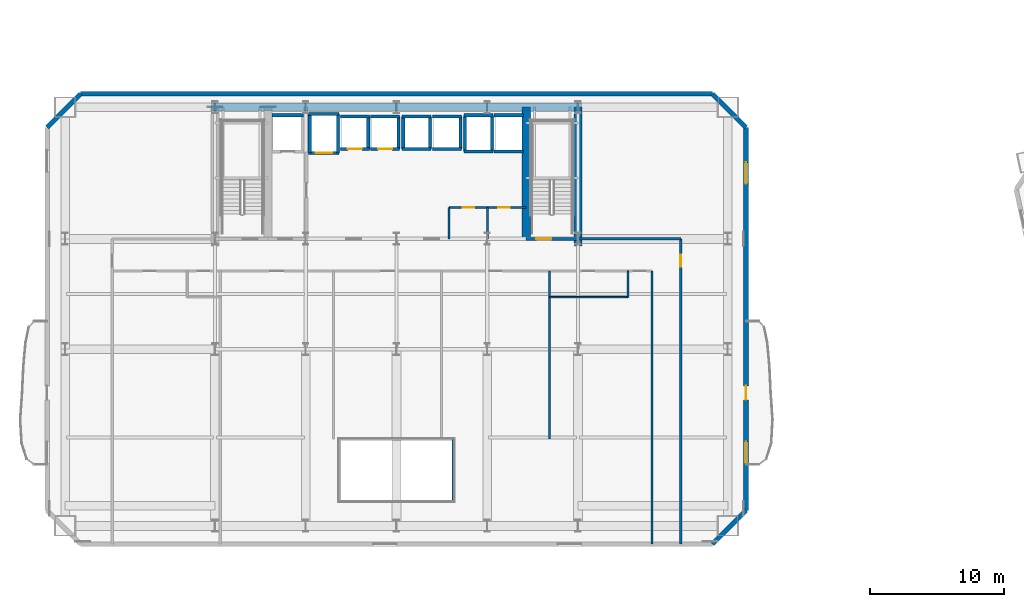
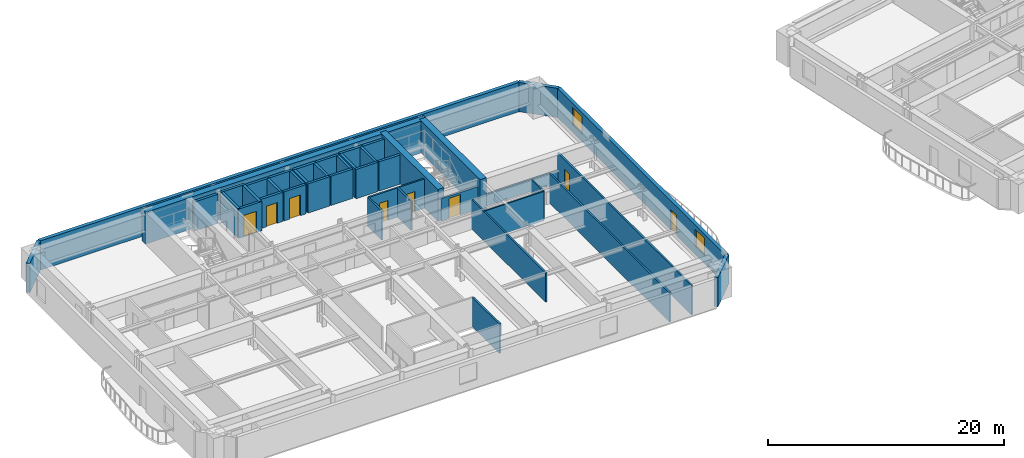
# One storey, part 8 of 18: 43 walls, 8 doors, 2 windows, 10 openings.
"""IFC4 building model written with IfcOpenShell, lengths in metres."""

from ifc_helpers import new_model, si_unit, direction, frame, frame_2d, origin, place, context, subcontext, project, spatial, rectangle, extrude, material, layer, layer_set, type_object, element, fill, save


model = new_model("IFC4")

# Units and contexts
model_context = context("Model", 3, precision=1e-05, world=origin(), true_north=direction((0.0, 1.0)))
body_context = subcontext(model_context, "Body", "Model", "MODEL_VIEW")
ifc_project = project(units=[si_unit("LENGTHUNIT", "METRE"), si_unit("AREAUNIT", "SQUARE_METRE"), si_unit("VOLUMEUNIT", "CUBIC_METRE"), si_unit("PLANEANGLEUNIT", "RADIAN"), si_unit("MASSUNIT", "GRAM", prefix="KILO")], contexts=[model_context])

# Site, building, storey
site_placement = place(None, origin())
site = spatial("IfcSite", under=ifc_project, at=site_placement, CompositionType="ELEMENT")
building_placement = place(site_placement, origin())
building = spatial("IfcBuilding", under=site, at=building_placement, Name="Haevon Station Towers", CompositionType="ELEMENT")
storey_placement = place(building_placement, frame((0.0, 0.0, 66.89990234375)))
storey = spatial("IfcBuildingStorey", under=building, at=storey_placement, Name="L17", CompositionType="ELEMENT", Elevation=66.89990234375)

# Walls
ifc_material_1 = material(Name="Gypsum board on steel stud", Category="steel")
ifc_layer_1 = layer(ifc_material_1, 0.179931640625)
ifc_layer_set_1 = layer_set([ifc_layer_1], Name="Gypsum board on steel stud")
wall_type_1 = type_object("IfcWallType", Name="WL-ACU180", PredefinedType="PARTITIONING", material=ifc_layer_set_1)
wall_1_placement = place(storey_placement, frame((51.0, 38.199951171875, 0.0), z_axis=(0.0, 0.0, 1.0), x_axis=(1.0, 0.0, 0.0)))
element("IfcWall", 1, at=wall_1_placement, inside=storey, type_object=wall_type_1, Name="WL-T1PT-L17-03", PredefinedType="PARTITIONING", context=body_context, shape_type="SweptSolid", body=[
    extrude(rectangle(XDim=7.64990234375, YDim=0.179931640625, at=frame_2d((3.824951171875, 0.0))), origin(), (0.0, 0.0, 1.0), 1.22998046875),
])
wall_2_placement = place(storey_placement, frame((41.699951171875, 18.699951171875, 0.0), z_axis=(0.0, 0.0, 1.0), x_axis=(0.0, 1.0, 0.0)))
element("IfcWall", 2, at=wall_2_placement, inside=storey, type_object=wall_type_1, Name="WL-T1PT-L17-09", PredefinedType="PARTITIONING", context=body_context, shape_type="SweptSolid", body=[
    extrude(rectangle(XDim=4.60009765625, YDim=0.179931640625, at=frame_2d((2.300048828125, 0.0))), origin(), (0.0, 0.0, 1.0), 3.030029296875),
])

# Wall, opening, door
ifc_layer_2 = layer(ifc_material_1, 0.199951171875)
ifc_layer_set_2 = layer_set([ifc_layer_2], Name="Gypsum board on steel stud")
wall_type_2 = type_object("IfcWallType", Name="WL-COR200", PredefinedType="PARTITIONING", material=ifc_layer_set_2)
wall_3_placement = place(storey_placement, frame((47.14990234375, 38.199951171875, 0.0), z_axis=(0.0, 0.0, 1.0), x_axis=(1.0, 0.0, 0.0)))
wall_3 = element("IfcWall", 3, at=wall_3_placement, inside=storey, type_object=wall_type_2, Name="WL-ST-ST2-L17", PredefinedType="PARTITIONING", context=body_context, shape_type="SweptSolid", body=[
    extrude(rectangle(XDim=3.85009765625, YDim=0.199951171875, at=frame_2d((1.925048828125, 0.0))), origin(), (0.0, 0.0, 1.0), 2.330078125),
])
opening_1_placement = place(wall_3_placement, frame((0.75, 0.0, 0.0)))
opening_1 = element("IfcOpeningElement", 4, at=opening_1_placement, cuts=wall_3, Name="Opening DR-ST-ST2-L17", PredefinedType="OPENING", context=body_context, shape_type="SweptSolid", body=[
    extrude(rectangle(XDim=1.1201171875, YDim=2.10009765625, at=frame_2d((0.56005859375, 1.050048828125))), frame((0.0, 0.10986328125, 0.0), z_axis=(0.0, -1.0, 0.0), x_axis=(1.0, 0.0, 0.0)), (0.0, 0.0, 1.0), 0.219970703125),
])
ifc_material_2 = material(Name="Engineered oak timber", Category="wood")
door_type_1 = type_object("IfcDoorType", Name="DR-ST-1120", OperationType="NOTDEFINED", PredefinedType="DOOR", material=ifc_material_2)
door_1_placement = place(opening_1_placement, origin())
door_1 = element("IfcDoor", 5, at=door_1_placement, inside=storey, type_object=door_type_1, Name="L17 Escape Stair ST2 Fire Door", OperationType="SINGLE_SWING_RIGHT", OverallHeight=2.10009765625, OverallWidth=1.1201171875, PredefinedType="DOOR", context=body_context, shape_type="SweptSolid", body=[
    extrude(rectangle(XDim=1.1201171875, YDim=2.10009765625, at=frame_2d((0.56005859375, 1.050048828125))), frame((0.0, 0.02490234375, 0.0), z_axis=(0.0, -1.0, 0.0), x_axis=(1.0, 0.0, 0.0)), (0.0, 0.0, 1.0), 0.050048828125),
])
fill(opening_1, door_1)

# Walls
ifc_material_3 = material(Name="Concrete C60/75", Category="concrete")
ifc_layer_3 = layer(ifc_material_3, 0.60009765625)
ifc_layer_set_3 = layer_set([ifc_layer_3], Name="Concrete C60/75")
wall_type_3 = type_object("IfcWallType", Name="WL-CR600", PredefinedType="SHEAR", material=ifc_layer_set_3)
wall_4_placement = place(storey_placement, frame((23.699951171875, 48.0, 0.0), z_axis=(0.0, 0.0, 1.0), x_axis=(1.0, 0.0, 0.0)))
element("IfcWall", 6, at=wall_4_placement, inside=storey, type_object=wall_type_3, Name="WL-T1CR-L17-N", PredefinedType="SHEAR", context=body_context, shape_type="SweptSolid", body=[
    extrude(rectangle(XDim=27.60009765625, YDim=0.60009765625, at=frame_2d((13.800048828125, 0.0))), origin(), (0.0, 0.0, 1.0), 3.300048828125),
])
wall_5_placement = place(storey_placement, frame((51.0, 37.679931640625, 0.0), z_axis=(0.0, 0.0, 1.0), x_axis=(0.0, 1.0, 0.0)))
element("IfcWall", 7, at=wall_5_placement, inside=storey, type_object=wall_type_3, Name="WL-T1CR-L17-E", PredefinedType="SHEAR", context=body_context, shape_type="SweptSolid", body=[
    extrude(rectangle(XDim=10.320068359375, YDim=0.60009765625, at=frame_2d((5.16015625, 0.0))), origin(), (0.0, 0.0, 1.0), 3.300048828125),
])
wall_6_placement = place(storey_placement, frame((47.14990234375, 38.199951171875, 0.0), z_axis=(0.0, 0.0, 1.0), x_axis=(0.0, 1.0, 0.0)))
element("IfcWall", 8, at=wall_6_placement, inside=storey, type_object=wall_type_3, Name="WL-T1CR-L17-M2", PredefinedType="SHEAR", context=body_context, shape_type="SweptSolid", body=[
    extrude(rectangle(XDim=9.800048828125, YDim=0.60009765625, at=frame_2d((4.89990234375, 0.0))), origin(), (0.0, 0.0, 1.0), 3.300048828125),
])
ifc_material_4 = material(Name="Precast concrete C45/55", Category="concrete")
ifc_layer_4 = layer(ifc_material_4, 0.340087890625)
ifc_layer_set_4 = layer_set([ifc_layer_4], Name="Precast concrete C45/55")
wall_type_4 = type_object("IfcWallType", Name="WL-EXT-PIER340", PredefinedType="SOLIDWALL", material=ifc_layer_set_4)
wall_7_placement = place(storey_placement, frame((11.5, 46.5, 0.0), z_axis=(0.0, 0.0, 1.0), x_axis=(0.707106781187, 0.707106781187, 0.0)))
element("IfcWall", 9, at=wall_7_placement, inside=storey, type_object=wall_type_4, Name="WL-T1-L17-NWC", PredefinedType="SOLIDWALL", context=body_context, shape_type="SweptSolid", body=[
    extrude(rectangle(XDim=3.53564453125, YDim=0.340087890625, at=frame_2d((1.767822265625, 0.0))), origin(), (0.0, 0.0, 1.0), 3.030029296875),
])
wall_8_placement = place(storey_placement, frame((14.0, 49.0, 0.0), z_axis=(0.0, 0.0, 1.0), x_axis=(1.0, 0.0, 0.0)))
element("IfcWall", 10, at=wall_8_placement, inside=storey, type_object=wall_type_4, Name="WL-T1-L17-N", PredefinedType="SOLIDWALL", context=body_context, shape_type="SweptSolid", body=[
    extrude(rectangle(XDim=47.0, YDim=0.340087890625, at=frame_2d((23.5, 0.0))), origin(), (0.0, 0.0, 1.0), 3.030029296875),
])
wall_9_placement = place(storey_placement, frame((61.0, 49.0, 0.0), z_axis=(0.0, 0.0, 1.0), x_axis=(0.707106781187, -0.707106781187, 0.0)))
element("IfcWall", 11, at=wall_9_placement, inside=storey, type_object=wall_type_4, Name="WL-T1-L17-NEC", PredefinedType="SOLIDWALL", context=body_context, shape_type="SweptSolid", body=[
    extrude(rectangle(XDim=3.53564453125, YDim=0.340087890625, at=frame_2d((1.767822265625, 0.0))), origin(), (0.0, 0.0, 1.0), 3.030029296875),
])

# Wall, openings, door, windows
wall_10_placement = place(storey_placement, frame((63.5, 46.5, 0.0), z_axis=(0.0, 0.0, 1.0), x_axis=(0.0, -1.0, 0.0)))
wall_10 = element("IfcWall", 12, at=wall_10_placement, inside=storey, type_object=wall_type_4, Name="WL-T1-L17-E", PredefinedType="SOLIDWALL", context=body_context, shape_type="SweptSolid", body=[
    extrude(rectangle(XDim=28.5, YDim=0.340087890625, at=frame_2d((14.25, 0.0))), origin(), (0.0, 0.0, 1.0), 3.030029296875),
])
opening_2_placement = place(wall_10_placement, frame((19.22509765625, 0.0, 0.0)))
opening_2 = element("IfcOpeningElement", 13, at=opening_2_placement, cuts=wall_10, Name="Opening DR-T1-SCAL-L17-E", PredefinedType="OPENING", context=body_context, shape_type="SweptSolid", body=[
    extrude(rectangle(XDim=1.050048828125, YDim=2.10009765625, at=frame_2d((0.52490234375, 1.050048828125))), frame((0.0, 0.179931640625, 0.0), z_axis=(0.0, -1.0, 0.0), x_axis=(1.0, 0.0, 0.0)), (0.0, 0.0, 1.0), 0.360107421875),
])
opening_3_placement = place(wall_10_placement, frame((2.607177734375, 0.0, 0.800048828125)))
opening_3 = element("IfcOpeningElement", 14, at=opening_3_placement, cuts=wall_10, Name="Opening WN-END160", PredefinedType="OPENING", context=body_context, shape_type="SweptSolid", body=[
    extrude(rectangle(XDim=1.60009765625, YDim=1.800048828125, at=frame_2d((0.800048828125, 0.89990234375))), frame((0.0, 0.179931640625, 0.0), z_axis=(0.0, -1.0, 0.0), x_axis=(1.0, 0.0, 0.0)), (0.0, 0.0, 1.0), 0.360107421875),
])
opening_4_placement = place(wall_10_placement, frame((23.389404296875, 0.0, 0.800048828125)))
opening_4 = element("IfcOpeningElement", 15, at=opening_4_placement, cuts=wall_10, Name="Opening WN-END160", PredefinedType="OPENING", context=body_context, shape_type="SweptSolid", body=[
    extrude(rectangle(XDim=1.60009765625, YDim=1.800048828125, at=frame_2d((0.800048828125, 0.89990234375))), frame((0.0, 0.179931640625, 0.0), z_axis=(0.0, -1.0, 0.0), x_axis=(1.0, 0.0, 0.0)), (0.0, 0.0, 1.0), 0.360107421875),
])
ifc_material_5 = material(Name="Thermally broken anodised aluminium and laminated safety glass", Category="aluminium")
door_type_2 = type_object("IfcDoorType", Name="DR-BALC-1050", OperationType="NOTDEFINED", PredefinedType="DOOR", material=ifc_material_5)
door_2_placement = place(opening_2_placement, origin())
door_2 = element("IfcDoor", 16, at=door_2_placement, inside=storey, type_object=door_type_2, Name="Tower 1 L17 East Scalloped Balcony Door", OperationType="SINGLE_SWING_RIGHT", OverallHeight=2.10009765625, OverallWidth=1.050048828125, PredefinedType="DOOR", context=body_context, shape_type="SweptSolid", body=[
    extrude(rectangle(XDim=1.050048828125, YDim=2.10009765625, at=frame_2d((0.52490234375, 1.050048828125))), frame((0.0, 0.02490234375, 0.0), z_axis=(0.0, -1.0, 0.0), x_axis=(1.0, 0.0, 0.0)), (0.0, 0.0, 1.0), 0.050048828125),
])
fill(opening_2, door_2)
ifc_material_6 = material(Name="Low-E triple glazing in thermally broken aluminium", Category="aluminium")
window_type = type_object("IfcWindowType", Name="WN-END160", PartitioningType="SINGLE_PANEL", PredefinedType="WINDOW", material=ifc_material_6)
window_1_placement = place(opening_3_placement, origin())
window_1 = element("IfcWindow", 17, at=window_1_placement, inside=storey, type_object=window_type, Name="WN-T1-L17-E01", OverallHeight=1.800048828125, OverallWidth=1.60009765625, PartitioningType="SINGLE_PANEL", PredefinedType="WINDOW", context=body_context, shape_type="SweptSolid", body=[
    extrude(rectangle(XDim=1.60009765625, YDim=1.800048828125, at=frame_2d((0.800048828125, 0.89990234375))), frame((0.0, 0.030029296875, 0.0), z_axis=(0.0, -1.0, 0.0), x_axis=(1.0, 0.0, 0.0)), (0.0, 0.0, 1.0), 0.06005859375),
])
fill(opening_3, window_1)
window_2_placement = place(opening_4_placement, origin())
window_2 = element("IfcWindow", 18, at=window_2_placement, inside=storey, type_object=window_type, Name="WN-T1-L17-E02", OverallHeight=1.800048828125, OverallWidth=1.60009765625, PartitioningType="SINGLE_PANEL", PredefinedType="WINDOW", context=body_context, shape_type="SweptSolid", body=[
    extrude(rectangle(XDim=1.60009765625, YDim=1.800048828125, at=frame_2d((0.800048828125, 0.89990234375))), frame((0.0, 0.030029296875, 0.0), z_axis=(0.0, -1.0, 0.0), x_axis=(1.0, 0.0, 0.0)), (0.0, 0.0, 1.0), 0.06005859375),
])
fill(opening_4, window_2)

# Walls
wall_11_placement = place(storey_placement, frame((63.5, 18.0, 0.0), z_axis=(0.0, 0.0, 1.0), x_axis=(-0.707106781187, -0.707106781187, 0.0)))
element("IfcWall", 19, at=wall_11_placement, inside=storey, type_object=wall_type_4, Name="WL-T1-L17-SEC", PredefinedType="SOLIDWALL", context=body_context, shape_type="SweptSolid", body=[
    extrude(rectangle(XDim=3.53564453125, YDim=0.340087890625, at=frame_2d((1.767822265625, 0.0))), origin(), (0.0, 0.0, 1.0), 3.030029296875),
])
ifc_layer_5 = layer(ifc_material_1, 0.125)
ifc_layer_set_5 = layer_set([ifc_layer_5], Name="Gypsum board on steel stud")
wall_type_5 = type_object("IfcWallType", Name="WL-PRT125", PredefinedType="PARTITIONING", material=ifc_layer_set_5)
wall_12_placement = place(storey_placement, frame((48.87158203125, 33.8701171875, 0.0), z_axis=(0.0, 0.0, 1.0), x_axis=(1.0, 0.0, 0.0)))
element("IfcWall", 20, at=wall_12_placement, inside=storey, type_object=wall_type_5, Name="WL-T1PT-L17-18", PredefinedType="PARTITIONING", context=body_context, shape_type="SweptSolid", body=[
    extrude(rectangle(XDim=5.848388671875, YDim=0.125, at=frame_2d((2.92431640625, 0.0))), origin(), (0.0, 0.0, 1.0), 3.030029296875),
])
wall_13_placement = place(storey_placement, frame((54.719970703125, 33.8701171875, 0.0), z_axis=(0.0, 0.0, 1.0), x_axis=(0.0, 1.0, 0.0)))
element("IfcWall", 21, at=wall_13_placement, inside=storey, type_object=wall_type_5, Name="WL-T1PT-L17-19", PredefinedType="PARTITIONING", context=body_context, shape_type="SweptSolid", body=[
    extrude(rectangle(XDim=1.949951171875, YDim=0.125, at=frame_2d((0.97509765625, 0.0))), origin(), (0.0, 0.0, 1.0), 3.030029296875),
])
ifc_layer_6 = layer(ifc_material_1, 0.159912109375)
ifc_layer_set_6 = layer_set([ifc_layer_6], Name="Gypsum board on steel stud")
wall_type_6 = type_object("IfcWallType", Name="WL-PRT160", PredefinedType="PARTITIONING", material=ifc_layer_set_6)
for number, where, z_axis, x_axis, name in (
    (22, (41.39990234375, 38.199951171875, 0.0), (0.0, 0.0, 1.0), (0.0, 1.0, 0.0), "WL-T1CW-L17-01"),
    (23, (44.280029296875, 38.199951171875, 0.0), (0.0, 0.0, 1.0), (0.0, 1.0, 0.0), "WL-T1CW-L17-02"),
):
    element("IfcWall", number, at=place(storey_placement, frame(where, z_axis=z_axis, x_axis=x_axis)), inside=storey, type_object=wall_type_6, Name=name, PredefinedType="PARTITIONING", context=body_context, shape_type="SweptSolid", body=[
        extrude(rectangle(XDim=2.35009765625, YDim=0.159912109375, at=frame_2d((1.175048828125, 0.0))), origin(), (0.0, 0.0, 1.0), 3.030029296875),
    ])

# Wall, openings, doors
wall_14_placement = place(storey_placement, frame((41.39990234375, 40.550048828125, 0.0), z_axis=(0.0, 0.0, 1.0), x_axis=(1.0, 0.0, 0.0)))
wall_14 = element("IfcWall", 24, at=wall_14_placement, inside=storey, type_object=wall_type_6, Name="WL-T1CW-L17-03", PredefinedType="PARTITIONING", context=body_context, shape_type="SweptSolid", body=[
    extrude(rectangle(XDim=5.75, YDim=0.159912109375, at=frame_2d((2.875, 0.0))), origin(), (0.0, 0.0, 1.0), 3.030029296875),
])
opening_5_placement = place(wall_14_placement, frame((1.034912109375, 0.0, 0.0)))
opening_5 = element("IfcOpeningElement", 25, at=opening_5_placement, cuts=wall_14, Name="Opening DR-WL-T1CW-L17-03-1", PredefinedType="OPENING", context=body_context, shape_type="SweptSolid", body=[
    extrude(rectangle(XDim=0.85009765625, YDim=2.050048828125, at=frame_2d((0.425048828125, 1.02490234375))), frame((0.0, 0.08984375, 0.0), z_axis=(0.0, -1.0, 0.0), x_axis=(1.0, 0.0, 0.0)), (0.0, 0.0, 1.0), 0.179931640625),
])
opening_6_placement = place(wall_14_placement, frame((3.655029296875, 0.0, 0.0)))
opening_6 = element("IfcOpeningElement", 26, at=opening_6_placement, cuts=wall_14, Name="Opening DR-WL-T1CW-L17-03-2", PredefinedType="OPENING", context=body_context, shape_type="SweptSolid", body=[
    extrude(rectangle(XDim=0.85009765625, YDim=2.050048828125, at=frame_2d((0.425048828125, 1.02490234375))), frame((0.0, 0.08984375, 0.0), z_axis=(0.0, -1.0, 0.0), x_axis=(1.0, 0.0, 0.0)), (0.0, 0.0, 1.0), 0.179931640625),
])
door_type_3 = type_object("IfcDoorType", Name="DR-FD30-850", OperationType="NOTDEFINED", PredefinedType="DOOR", material=ifc_material_2)
door_3_placement = place(opening_5_placement, origin())
door_3 = element("IfcDoor", 27, at=door_3_placement, inside=storey, type_object=door_type_3, Name="L17 Tower 1 Core Room Door 3-1", OperationType="SINGLE_SWING_RIGHT", OverallHeight=2.050048828125, OverallWidth=0.85009765625, PredefinedType="DOOR", context=body_context, shape_type="SweptSolid", body=[
    extrude(rectangle(XDim=0.85009765625, YDim=2.050048828125, at=frame_2d((0.425048828125, 1.02490234375))), frame((0.0, 0.02490234375, 0.0), z_axis=(0.0, -1.0, 0.0), x_axis=(1.0, 0.0, 0.0)), (0.0, 0.0, 1.0), 0.050048828125),
])
fill(opening_5, door_3)
door_4_placement = place(opening_6_placement, origin())
door_4 = element("IfcDoor", 28, at=door_4_placement, inside=storey, type_object=door_type_3, Name="L17 Tower 1 Core Room Door 3-2", OperationType="SINGLE_SWING_LEFT", OverallHeight=2.050048828125, OverallWidth=0.85009765625, PredefinedType="DOOR", context=body_context, shape_type="SweptSolid", body=[
    extrude(rectangle(XDim=0.85009765625, YDim=2.050048828125, at=frame_2d((0.425048828125, 1.02490234375))), frame((0.0, 0.02490234375, 0.0), z_axis=(0.0, -1.0, 0.0), x_axis=(1.0, 0.0, 0.0)), (0.0, 0.0, 1.0), 0.050048828125),
])
fill(opening_6, door_4)

# Wall
wall_15_placement = place(storey_placement, frame((56.5, 15.5, 0.0), z_axis=(0.0, 0.0, 1.0), x_axis=(0.0, 1.0, 0.0)))
element("IfcWall", 29, at=wall_15_placement, inside=storey, type_object=wall_type_6, Name="WL-T1PT-L17-01", PredefinedType="PARTITIONING", context=body_context, shape_type="SweptSolid", body=[
    extrude(rectangle(XDim=20.320068359375, YDim=0.159912109375, at=frame_2d((10.16015625, 0.0))), origin(), (0.0, 0.0, 1.0), 3.030029296875),
])

# Wall, opening, door
wall_16_placement = place(storey_placement, frame((58.64990234375, 15.5, 0.0), z_axis=(0.0, 0.0, 1.0), x_axis=(0.0, 1.0, 0.0)))
wall_16 = element("IfcWall", 30, at=wall_16_placement, inside=storey, type_object=wall_type_6, Name="WL-T1PT-L17-05", PredefinedType="PARTITIONING", context=body_context, shape_type="SweptSolid", body=[
    extrude(rectangle(XDim=22.699951171875, YDim=0.159912109375, at=frame_2d((11.35009765625, 0.0))), origin(), (0.0, 0.0, 1.0), 3.030029296875),
])
opening_7_placement = place(wall_16_placement, frame((20.639892578125, 0.0, 0.0)))
opening_7 = element("IfcOpeningElement", 31, at=opening_7_placement, cuts=wall_16, Name="Opening DR-WL-T1PT-L17-05-01", PredefinedType="OPENING", context=body_context, shape_type="SweptSolid", body=[
    extrude(rectangle(XDim=0.89990234375, YDim=2.050048828125, at=frame_2d((0.449951171875, 1.02490234375))), frame((0.0, 0.08984375, 0.0), z_axis=(0.0, -1.0, 0.0), x_axis=(1.0, 0.0, 0.0)), (0.0, 0.0, 1.0), 0.179931640625),
])
door_type_4 = type_object("IfcDoorType", Name="DR-INT-900", OperationType="NOTDEFINED", PredefinedType="DOOR", material=ifc_material_2)
door_5_placement = place(opening_7_placement, origin())
door_5 = element("IfcDoor", 32, at=door_5_placement, inside=storey, type_object=door_type_4, Name="L17 Tower 1 Room Door 5-1", OperationType="SINGLE_SWING_LEFT", OverallHeight=2.050048828125, OverallWidth=0.89990234375, PredefinedType="DOOR", context=body_context, shape_type="SweptSolid", body=[
    extrude(rectangle(XDim=0.89990234375, YDim=2.050048828125, at=frame_2d((0.449951171875, 1.02490234375))), frame((0.0, 0.02490234375, 0.0), z_axis=(0.0, -1.0, 0.0), x_axis=(1.0, 0.0, 0.0)), (0.0, 0.0, 1.0), 0.050048828125),
])
fill(opening_7, door_5)

# Walls
wall_17_placement = place(storey_placement, frame((48.87158203125, 23.300048828125, 0.0), z_axis=(0.0, 0.0, 1.0), x_axis=(0.0, 1.0, 0.0)))
element("IfcWall", 33, at=wall_17_placement, inside=storey, type_object=wall_type_6, Name="WL-T1PT-L17-16", PredefinedType="PARTITIONING", context=body_context, shape_type="SweptSolid", body=[
    extrude(rectangle(XDim=12.52001953125, YDim=0.159912109375, at=frame_2d((6.260009765625, 0.0))), origin(), (0.0, 0.0, 1.0), 3.030029296875),
])
ifc_material_7 = material(Name="Concrete C40/50", Category="concrete")
ifc_layer_7 = layer(ifc_material_7, 0.239990234375)
ifc_layer_set_7 = layer_set([ifc_layer_7], Name="Concrete C40/50")
wall_type_7 = type_object("IfcWallType", Name="WL-SHF240", PredefinedType="PARTITIONING", material=ifc_layer_set_7)
wall_18_placement = place(storey_placement, frame((28.219970703125, 47.39990234375, 0.0), z_axis=(0.0, 0.0, 1.0), x_axis=(1.0, 0.0, 0.0)))
element("IfcWall", 34, at=wall_18_placement, inside=storey, type_object=wall_type_7, Name="WL-SHF-FL1-L17-N", PredefinedType="PARTITIONING", context=body_context, shape_type="SweptSolid", body=[
    extrude(rectangle(XDim=2.360107421875, YDim=0.239990234375, at=frame_2d((1.18017578125, 0.0))), origin(), (0.0, 0.0, 1.0), 3.030029296875),
])

# Wall, opening, door
wall_19_placement = place(storey_placement, frame((30.969970703125, 44.60009765625, 0.0), z_axis=(0.0, 0.0, 1.0), x_axis=(1.0, 0.0, 0.0)))
wall_19 = element("IfcWall", 35, at=wall_19_placement, inside=storey, type_object=wall_type_7, Name="WL-SHF-SL1-L17", PredefinedType="PARTITIONING", context=body_context, shape_type="SweptSolid", body=[
    extrude(rectangle(XDim=2.260009765625, YDim=0.239990234375, at=frame_2d((1.1298828125, 0.0))), origin(), (0.0, 0.0, 1.0), 3.030029296875),
])
opening_8_placement = place(wall_19_placement, frame((0.5048828125, 0.0, 0.0)))
opening_8 = element("IfcOpeningElement", 36, at=opening_8_placement, cuts=wall_19, Name="Opening LD-SL1-L17", PredefinedType="OPENING", context=body_context, shape_type="SweptSolid", body=[
    extrude(rectangle(XDim=1.25, YDim=2.199951171875, at=frame_2d((0.625, 1.10009765625))), frame((0.0, 0.1298828125, 0.0), z_axis=(0.0, -1.0, 0.0), x_axis=(1.0, 0.0, 0.0)), (0.0, 0.0, 1.0), 0.260009765625),
])
ifc_material_8 = material(Name="Stainless steel and rated core", Category="steel")
door_type_5 = type_object("IfcDoorType", Name="LD-SL1250", OperationType="SLIDING_TO_LEFT", PredefinedType="DOOR", material=ifc_material_8)
door_6_placement = place(opening_8_placement, origin())
door_6 = element("IfcDoor", 37, at=door_6_placement, inside=storey, type_object=door_type_5, Name="L17 Lift SL1 Sliding Landing Door", OperationType="SLIDING_TO_LEFT", OverallHeight=2.199951171875, OverallWidth=1.25, PredefinedType="DOOR", context=body_context, shape_type="SweptSolid", body=[
    extrude(rectangle(XDim=1.25, YDim=2.199951171875, at=frame_2d((0.625, 1.10009765625))), frame((0.0, 0.02490234375, 0.0), z_axis=(0.0, -1.0, 0.0), x_axis=(1.0, 0.0, 0.0)), (0.0, 0.0, 1.0), 0.050048828125),
])
fill(opening_8, door_6)

# Walls
wall_20_placement = place(storey_placement, frame((30.969970703125, 47.5, 0.0), z_axis=(0.0, 0.0, 1.0), x_axis=(1.0, 0.0, 0.0)))
element("IfcWall", 38, at=wall_20_placement, inside=storey, type_object=wall_type_7, Name="WL-SHF-SL1-L17-N", PredefinedType="PARTITIONING", context=body_context, shape_type="SweptSolid", body=[
    extrude(rectangle(XDim=2.260009765625, YDim=0.239990234375, at=frame_2d((1.1298828125, 0.0))), origin(), (0.0, 0.0, 1.0), 3.030029296875),
])
for number, where, z_axis, x_axis, name in (
    (39, (31.050048828125, 44.60009765625, 0.0), (0.0, 0.0, 1.0), (0.0, 1.0, 0.0), "WL-SHF-SL1-L17-W"),
    (40, (33.14990234375, 44.60009765625, 0.0), (0.0, 0.0, 1.0), (0.0, 1.0, 0.0), "WL-SHF-SL1-L17-E"),
):
    element("IfcWall", number, at=place(storey_placement, frame(where, z_axis=z_axis, x_axis=x_axis)), inside=storey, type_object=wall_type_7, Name=name, PredefinedType="PARTITIONING", context=body_context, shape_type="SweptSolid", body=[
        extrude(rectangle(XDim=2.89990234375, YDim=0.239990234375, at=frame_2d((1.449951171875, 0.0))), origin(), (0.0, 0.0, 1.0), 3.030029296875),
    ])

# Wall, opening, door
wall_21_placement = place(storey_placement, frame((33.320068359375, 44.89990234375, 0.0), z_axis=(0.0, 0.0, 1.0), x_axis=(1.0, 0.0, 0.0)))
wall_21 = element("IfcWall", 41, at=wall_21_placement, inside=storey, type_object=wall_type_7, Name="WL-SHF-PL1-L17", PredefinedType="PARTITIONING", context=body_context, shape_type="SweptSolid", body=[
    extrude(rectangle(XDim=2.159912109375, YDim=0.239990234375, at=frame_2d((1.080078125, 0.0))), origin(), (0.0, 0.0, 1.0), 3.030029296875),
])
opening_9_placement = place(wall_21_placement, frame((0.554931640625, 0.0, 0.0)))
opening_9 = element("IfcOpeningElement", 42, at=opening_9_placement, cuts=wall_21, Name="Opening LD-PL1-L17", PredefinedType="OPENING", context=body_context, shape_type="SweptSolid", body=[
    extrude(rectangle(XDim=1.050048828125, YDim=2.14990234375, at=frame_2d((0.52490234375, 1.074951171875))), frame((0.0, 0.1298828125, 0.0), z_axis=(0.0, -1.0, 0.0), x_axis=(1.0, 0.0, 0.0)), (0.0, 0.0, 1.0), 0.260009765625),
])
door_type_6 = type_object("IfcDoorType", Name="LD-PL1050", OperationType="SLIDING_TO_LEFT", PredefinedType="DOOR", material=ifc_material_8)
door_7_placement = place(opening_9_placement, origin())
door_7 = element("IfcDoor", 43, at=door_7_placement, inside=storey, type_object=door_type_6, Name="L17 Lift PL1 Sliding Landing Door", OperationType="SLIDING_TO_LEFT", OverallHeight=2.14990234375, OverallWidth=1.050048828125, PredefinedType="DOOR", context=body_context, shape_type="SweptSolid", body=[
    extrude(rectangle(XDim=1.050048828125, YDim=2.14990234375, at=frame_2d((0.52490234375, 1.074951171875))), frame((0.0, 0.02490234375, 0.0), z_axis=(0.0, -1.0, 0.0), x_axis=(1.0, 0.0, 0.0)), (0.0, 0.0, 1.0), 0.050048828125),
])
fill(opening_9, door_7)

# Walls
wall_22_placement = place(storey_placement, frame((33.320068359375, 47.300048828125, 0.0), z_axis=(0.0, 0.0, 1.0), x_axis=(1.0, 0.0, 0.0)))
element("IfcWall", 44, at=wall_22_placement, inside=storey, type_object=wall_type_7, Name="WL-SHF-PL1-L17-N", PredefinedType="PARTITIONING", context=body_context, shape_type="SweptSolid", body=[
    extrude(rectangle(XDim=2.159912109375, YDim=0.239990234375, at=frame_2d((1.080078125, 0.0))), origin(), (0.0, 0.0, 1.0), 3.030029296875),
])
wall_23_placement = place(storey_placement, frame((35.39990234375, 44.89990234375, 0.0), z_axis=(0.0, 0.0, 1.0), x_axis=(0.0, 1.0, 0.0)))
element("IfcWall", 45, at=wall_23_placement, inside=storey, type_object=wall_type_7, Name="WL-SHF-PL1-L17-E", PredefinedType="PARTITIONING", context=body_context, shape_type="SweptSolid", body=[
    extrude(rectangle(XDim=2.400146484375, YDim=0.239990234375, at=frame_2d((1.2001953125, 0.0))), origin(), (0.0, 0.0, 1.0), 3.030029296875),
])

# Wall, opening, door
wall_24_placement = place(storey_placement, frame((35.570068359375, 44.89990234375, 0.0), z_axis=(0.0, 0.0, 1.0), x_axis=(1.0, 0.0, 0.0)))
wall_24 = element("IfcWall", 46, at=wall_24_placement, inside=storey, type_object=wall_type_7, Name="WL-SHF-PL2-L17", PredefinedType="PARTITIONING", context=body_context, shape_type="SweptSolid", body=[
    extrude(rectangle(XDim=2.159912109375, YDim=0.239990234375, at=frame_2d((1.080078125, 0.0))), origin(), (0.0, 0.0, 1.0), 3.030029296875),
])
opening_10_placement = place(wall_24_placement, frame((0.554931640625, 0.0, 0.0)))
opening_10 = element("IfcOpeningElement", 47, at=opening_10_placement, cuts=wall_24, Name="Opening LD-PL2-L17", PredefinedType="OPENING", context=body_context, shape_type="SweptSolid", body=[
    extrude(rectangle(XDim=1.050048828125, YDim=2.14990234375, at=frame_2d((0.52490234375, 1.074951171875))), frame((0.0, 0.1298828125, 0.0), z_axis=(0.0, -1.0, 0.0), x_axis=(1.0, 0.0, 0.0)), (0.0, 0.0, 1.0), 0.260009765625),
])
door_8_placement = place(opening_10_placement, origin())
door_8 = element("IfcDoor", 48, at=door_8_placement, inside=storey, type_object=door_type_6, Name="L17 Lift PL2 Sliding Landing Door", OperationType="SLIDING_TO_LEFT", OverallHeight=2.14990234375, OverallWidth=1.050048828125, PredefinedType="DOOR", context=body_context, shape_type="SweptSolid", body=[
    extrude(rectangle(XDim=1.050048828125, YDim=2.14990234375, at=frame_2d((0.52490234375, 1.074951171875))), frame((0.0, 0.02490234375, 0.0), z_axis=(0.0, -1.0, 0.0), x_axis=(1.0, 0.0, 0.0)), (0.0, 0.0, 1.0), 0.050048828125),
])
fill(opening_10, door_8)

# Walls
wall_25_placement = place(storey_placement, frame((35.570068359375, 47.300048828125, 0.0), z_axis=(0.0, 0.0, 1.0), x_axis=(1.0, 0.0, 0.0)))
element("IfcWall", 49, at=wall_25_placement, inside=storey, type_object=wall_type_7, Name="WL-SHF-PL2-L17-N", PredefinedType="PARTITIONING", context=body_context, shape_type="SweptSolid", body=[
    extrude(rectangle(XDim=2.159912109375, YDim=0.239990234375, at=frame_2d((1.080078125, 0.0))), origin(), (0.0, 0.0, 1.0), 3.030029296875),
])
wall_26_placement = place(storey_placement, frame((37.64990234375, 44.89990234375, 0.0), z_axis=(0.0, 0.0, 1.0), x_axis=(0.0, 1.0, 0.0)))
element("IfcWall", 50, at=wall_26_placement, inside=storey, type_object=wall_type_7, Name="WL-SHF-PL2-L17-E", PredefinedType="PARTITIONING", context=body_context, shape_type="SweptSolid", body=[
    extrude(rectangle(XDim=2.400146484375, YDim=0.239990234375, at=frame_2d((1.2001953125, 0.0))), origin(), (0.0, 0.0, 1.0), 3.030029296875),
])
for number, where, z_axis, x_axis, name in (
    (51, (37.919921875, 44.89990234375, 0.0), (0.0, 0.0, 1.0), (1.0, 0.0, 0.0), "WL-SHF-PL3-L17"),
    (52, (37.919921875, 47.300048828125, 0.0), (0.0, 0.0, 1.0), (1.0, 0.0, 0.0), "WL-SHF-PL3-L17-N"),
):
    element("IfcWall", number, at=place(storey_placement, frame(where, z_axis=z_axis, x_axis=x_axis)), inside=storey, type_object=wall_type_7, Name=name, PredefinedType="PARTITIONING", context=body_context, shape_type="SweptSolid", body=[
        extrude(rectangle(XDim=2.16015625, YDim=0.239990234375, at=frame_2d((1.080078125, 0.0))), origin(), (0.0, 0.0, 1.0), 3.030029296875),
    ])
for number, where, z_axis, x_axis, name in (
    (53, (38.0, 44.89990234375, 0.0), (0.0, 0.0, 1.0), (0.0, 1.0, 0.0), "WL-SHF-PL3-L17-W"),
    (54, (40.0, 44.89990234375, 0.0), (0.0, 0.0, 1.0), (0.0, 1.0, 0.0), "WL-SHF-PL3-L17-E"),
):
    element("IfcWall", number, at=place(storey_placement, frame(where, z_axis=z_axis, x_axis=x_axis)), inside=storey, type_object=wall_type_7, Name=name, PredefinedType="PARTITIONING", context=body_context, shape_type="SweptSolid", body=[
        extrude(rectangle(XDim=2.400146484375, YDim=0.239990234375, at=frame_2d((1.2001953125, 0.0))), origin(), (0.0, 0.0, 1.0), 3.030029296875),
    ])
for number, where, z_axis, x_axis, name in (
    (55, (40.169921875, 44.89990234375, 0.0), (0.0, 0.0, 1.0), (1.0, 0.0, 0.0), "WL-SHF-PL4-L17"),
    (56, (40.169921875, 47.300048828125, 0.0), (0.0, 0.0, 1.0), (1.0, 0.0, 0.0), "WL-SHF-PL4-L17-N"),
):
    element("IfcWall", number, at=place(storey_placement, frame(where, z_axis=z_axis, x_axis=x_axis)), inside=storey, type_object=wall_type_7, Name=name, PredefinedType="PARTITIONING", context=body_context, shape_type="SweptSolid", body=[
        extrude(rectangle(XDim=2.16015625, YDim=0.239990234375, at=frame_2d((1.080078125, 0.0))), origin(), (0.0, 0.0, 1.0), 3.030029296875),
    ])
wall_27_placement = place(storey_placement, frame((42.25, 44.89990234375, 0.0), z_axis=(0.0, 0.0, 1.0), x_axis=(0.0, 1.0, 0.0)))
element("IfcWall", 57, at=wall_27_placement, inside=storey, type_object=wall_type_7, Name="WL-SHF-PL4-L17-E", PredefinedType="PARTITIONING", context=body_context, shape_type="SweptSolid", body=[
    extrude(rectangle(XDim=2.400146484375, YDim=0.239990234375, at=frame_2d((1.2001953125, 0.0))), origin(), (0.0, 0.0, 1.0), 3.030029296875),
])
for number, where, z_axis, x_axis, name in (
    (58, (42.52001953125, 44.699951171875, 0.0), (0.0, 0.0, 1.0), (1.0, 0.0, 0.0), "WL-SHF-PL5-L17"),
    (59, (42.52001953125, 47.39990234375, 0.0), (0.0, 0.0, 1.0), (1.0, 0.0, 0.0), "WL-SHF-PL5-L17-N"),
):
    element("IfcWall", number, at=place(storey_placement, frame(where, z_axis=z_axis, x_axis=x_axis)), inside=storey, type_object=wall_type_7, Name=name, PredefinedType="PARTITIONING", context=body_context, shape_type="SweptSolid", body=[
        extrude(rectangle(XDim=2.159912109375, YDim=0.239990234375, at=frame_2d((1.080078125, 0.0))), origin(), (0.0, 0.0, 1.0), 3.030029296875),
    ])
for number, where, z_axis, x_axis, name in (
    (60, (42.60009765625, 44.699951171875, 0.0), (0.0, 0.0, 1.0), (0.0, 1.0, 0.0), "WL-SHF-PL5-L17-W"),
    (61, (44.60009765625, 44.699951171875, 0.0), (0.0, 0.0, 1.0), (0.0, 1.0, 0.0), "WL-SHF-PL5-L17-E"),
):
    element("IfcWall", number, at=place(storey_placement, frame(where, z_axis=z_axis, x_axis=x_axis)), inside=storey, type_object=wall_type_7, Name=name, PredefinedType="PARTITIONING", context=body_context, shape_type="SweptSolid", body=[
        extrude(rectangle(XDim=2.699951171875, YDim=0.239990234375, at=frame_2d((1.35009765625, 0.0))), origin(), (0.0, 0.0, 1.0), 3.030029296875),
    ])
for number, where, z_axis, x_axis, name in (
    (62, (44.77001953125, 44.699951171875, 0.0), (0.0, 0.0, 1.0), (1.0, 0.0, 0.0), "WL-SHF-PL6-L17"),
    (63, (44.77001953125, 47.39990234375, 0.0), (0.0, 0.0, 1.0), (1.0, 0.0, 0.0), "WL-SHF-PL6-L17-N"),
):
    element("IfcWall", number, at=place(storey_placement, frame(where, z_axis=z_axis, x_axis=x_axis)), inside=storey, type_object=wall_type_7, Name=name, PredefinedType="PARTITIONING", context=body_context, shape_type="SweptSolid", body=[
        extrude(rectangle(XDim=2.159912109375, YDim=0.239990234375, at=frame_2d((1.080078125, 0.0))), origin(), (0.0, 0.0, 1.0), 3.030029296875),
    ])

save(model, "model.ifc")
